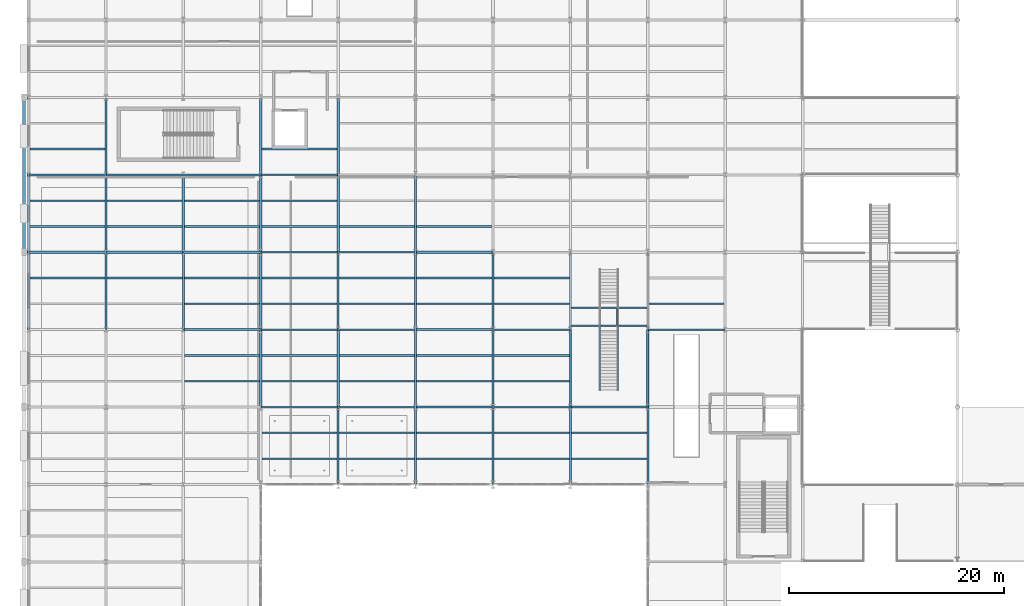
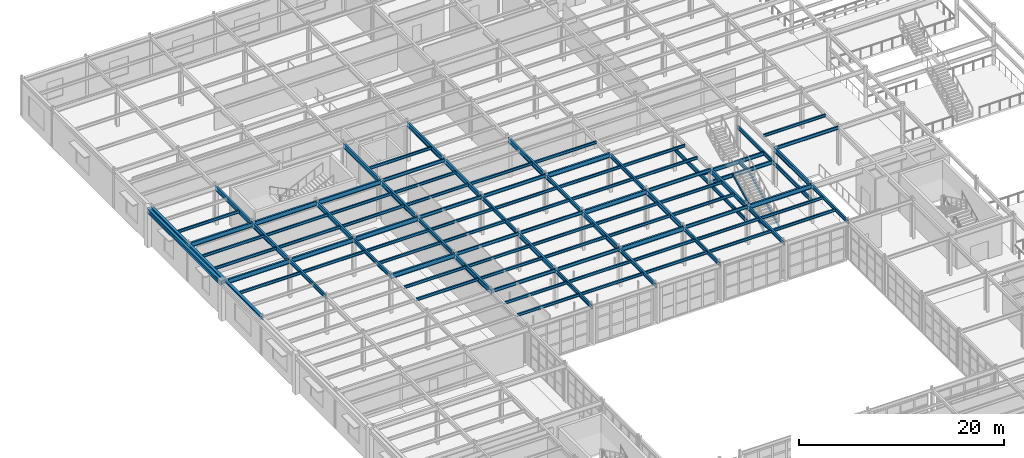
# One storey, part 51 of 121: 100 beams, 2 members.
"""IFC4 building model written with IfcOpenShell, lengths in metres."""

import ifcopenshell
import ifcopenshell.guid

model = None  # the IFC model being written
_history = None  # IfcOwnerHistory: only IFC2X3 demands one
_inside = {}  # id of a spatial element -> (the spatial element, [elements in it])
_under = {}  # id of a project, library or spatial element -> (it, [spatial elements below it])
_declared = {}  # id of a project -> (the project, [libraries it declares])
_typed = {}  # id of a type object -> (the type object, [elements of that type])
_made_of = {}  # id of a material, layer set ... -> (it, [elements and type objects made of it])


def new_model(schema):
    """Start an empty IFC model of exactly this schema.

    Asked for "IFC4X3", IfcOpenShell would pick the latest addendum, in which some entities
    have other attributes; the version numbers below select the first issue.
    IFC2X3 requires an IfcOwnerHistory on every rooted entity: one is made here for all.
    """
    global model, _history
    if schema == "IFC4X3":
        model = ifcopenshell.file(schema_version=(4, 3, 0, 0))
    else:
        model = ifcopenshell.file(schema=schema)
    _inside.clear()
    _under.clear()
    _declared.clear()
    _typed.clear()
    _made_of.clear()
    _history = None
    if model.schema == "IFC2X3":
        org = make("IfcOrganization", Name="unknown")
        user = make(
            "IfcPersonAndOrganization",
            ThePerson=make("IfcPerson", FamilyName="unknown"),
            TheOrganization=org,
        )
        app = make(
            "IfcApplication",
            ApplicationDeveloper=org,
            Version="unknown",
            ApplicationFullName="unknown",
            ApplicationIdentifier="unknown",
        )
        _history = make(
            "IfcOwnerHistory",
            OwningUser=user,
            OwningApplication=app,
            ChangeAction="ADDED",
            CreationDate=0,
        )
    return model


def make(cls, **values):
    """One entity of the class cls with the attributes given. An attribute that is None is left unset."""
    return model.create_entity(
        cls, **{name: value for name, value in values.items() if value is not None}
    )


def rooted(cls, **values):
    """An entity with a GlobalId (a new one), such as an element, a storey or a relation."""
    return make(cls, GlobalId=ifcopenshell.guid.new(), OwnerHistory=_history, **values)


def si_unit(unit_type, name, prefix=None):
    """IfcSIUnit, for example si_unit("LENGTHUNIT", "METRE", prefix="MILLI")."""
    return make("IfcSIUnit", UnitType=unit_type, Prefix=prefix, Name=name)


def assignment(units):
    """IfcUnitAssignment: the units of a project."""
    return None if units is None else make("IfcUnitAssignment", Units=units)


def point(xyz):
    """IfcCartesianPoint."""
    return None if xyz is None else make("IfcCartesianPoint", Coordinates=xyz)


def direction(xyz):
    """IfcDirection."""
    return None if xyz is None else make("IfcDirection", DirectionRatios=xyz)


def frame(location, z_axis=None, x_axis=None):
    """IfcAxis2Placement3D, a coordinate frame: its origin and axes. An axis left out is left unset."""
    return make(
        "IfcAxis2Placement3D",
        Location=point(location),
        Axis=direction(z_axis),
        RefDirection=direction(x_axis),
    )


def frame_2d(location, x_axis=None):
    """IfcAxis2Placement2D, a coordinate frame in the plane: its origin and x axis."""
    return make(
        "IfcAxis2Placement2D", Location=point(location), RefDirection=direction(x_axis)
    )


def origin():
    """The frame at (0, 0, 0) with its axes left unset."""
    return frame((0.0, 0.0, 0.0))


def origin_2d():
    """The frame at (0, 0) in the plane with its x axis left unset."""
    return frame_2d((0.0, 0.0))


def place(relative_to, where):
    """IfcLocalPlacement: puts the frame where relative to a parent placement (None: the world)."""
    return make(
        "IfcLocalPlacement", PlacementRelTo=relative_to, RelativePlacement=where
    )


def context(
    kind, dimensions, precision=None, world=None, true_north=None, identifier=None
):
    """IfcGeometricRepresentationContext, for example the 3D "Model" context."""
    return make(
        "IfcGeometricRepresentationContext",
        ContextIdentifier=identifier,
        ContextType=kind,
        CoordinateSpaceDimension=dimensions,
        Precision=precision,
        WorldCoordinateSystem=world,
        TrueNorth=true_north,
    )


def subcontext(parent, identifier, kind, view, scale=None):
    """IfcGeometricRepresentationSubContext, for example "Body" below "Model"."""
    return make(
        "IfcGeometricRepresentationSubContext",
        ContextIdentifier=identifier,
        ContextType=kind,
        ParentContext=parent,
        TargetScale=scale,
        TargetView=view,
    )


def project(units=None, contexts=None):
    """IfcProject with its units and contexts."""
    return rooted(
        "IfcProject",
        Name="project",
        RepresentationContexts=contexts,
        UnitsInContext=assignment(units),
    )


def spatial(cls, under=None, at=None, **own):
    """A site, building, storey or space (cls), placed at a placement, below another one or the project."""
    s = rooted(cls, ObjectPlacement=at, **own)
    if under is not None:
        _under.setdefault(under.id(), (under, []))[1].append(s)
    return s


def profile(cls, at=None, kind="AREA", **sizes):
    """A parametric profile (cls). Its sizes go by their IFC names, for example OverallWidth=200.0."""
    return make(cls, ProfileType=kind, Position=at, **sizes)


def hollow_rectangle(**sizes):
    """IfcRectangleHollowProfileDef."""
    return profile("IfcRectangleHollowProfileDef", **sizes)


def i_section(**sizes):
    """IfcIShapeProfileDef."""
    return profile("IfcIShapeProfileDef", **sizes)


def extrude(swept, where, along, depth):
    """IfcExtrudedAreaSolid: the profile swept, set in the frame where, extruded along a direction by depth."""
    return make(
        "IfcExtrudedAreaSolid",
        SweptArea=swept,
        Position=where,
        ExtrudedDirection=direction(along),
        Depth=depth,
    )


def shape(context_of_items, identifier, shape_type, items):
    """IfcShapeRepresentation: the items that make up one representation, for example the "Body"."""
    return make(
        "IfcShapeRepresentation",
        ContextOfItems=context_of_items,
        RepresentationIdentifier=identifier,
        RepresentationType=shape_type,
        Items=items,
    )


def material(Name=None, Category=None):
    """IfcMaterial."""
    return make("IfcMaterial", Name=Name, Category=Category)


def material_profile(
    of_material, cross_section, Name=None, Category=None, Priority=None
):
    """IfcMaterialProfile: a cross section and its material."""
    return make(
        "IfcMaterialProfile",
        Name=Name,
        Material=of_material,
        Profile=cross_section,
        Priority=Priority,
        Category=Category,
    )


def profile_set(profiles, Name=None, composite=None):
    """IfcMaterialProfileSet."""
    return make(
        "IfcMaterialProfileSet",
        Name=Name,
        MaterialProfiles=profiles,
        CompositeProfile=composite,
    )


def made_of(thing, what):
    """Note that an element or type object is made of a material, layer set ...; save() writes the relation."""
    if what is not None:
        _made_of.setdefault(what.id(), (what, []))[1].append(thing)
    return thing


def type_object(cls, material=None, **own):
    """A type object (cls), such as IfcWallType, which elements share."""
    return made_of(rooted(cls, **own), material)


def element(
    cls,
    number,
    at=None,
    inside=None,
    cuts=None,
    type_object=None,
    material=None,
    context=None,
    identifier="Body",
    shape_type=None,
    held_by="IfcProductDefinitionShape",
    body=None,
    shapes=None,
    **own,
):
    """One element of the class cls, such as IfcWall. Its Tag is "e" and its number.

    at: its placement. inside: the storey or other place that contains it. cuts: it is an
    opening in that element (IfcRelVoidsElement). A single representation is given by context,
    identifier, shape_type and body (its items); several are given by shapes. held_by: the class
    of the entity that holds the representations. save() writes the other relations.
    """
    e = rooted(cls, Tag="e%d" % number, ObjectPlacement=at, **own)
    if body is not None:
        shapes = [shape(context, identifier, shape_type, body)]
    if shapes is not None:
        e.Representation = make(held_by, Representations=shapes)
    if inside is not None:
        _inside.setdefault(inside.id(), (inside, []))[1].append(e)
    if cuts is not None:
        rooted(
            "IfcRelVoidsElement", RelatingBuildingElement=cuts, RelatedOpeningElement=e
        )
    if type_object is not None:
        _typed.setdefault(type_object.id(), (type_object, []))[1].append(e)
    return made_of(e, material)


def aggregate(whole, parts):
    """IfcRelAggregates: a whole, such as a stair, and the parts it consists of."""
    return rooted("IfcRelAggregates", RelatingObject=whole, RelatedObjects=parts)


def save(model, path):
    """Write the relations noted so far, then the file.

    IfcRelAggregates (storeys below a building ...), IfcRelContainedInSpatialStructure (elements
    in a storey), IfcRelDefinesByType, IfcRelAssociatesMaterial and IfcRelDeclares: one each for
    every whole, place, type object, material and project.
    """
    for whole, parts in _under.values():
        aggregate(whole, parts)
    for where, things in _inside.values():
        rooted(
            "IfcRelContainedInSpatialStructure",
            RelatedElements=things,
            RelatingStructure=where,
        )
    for kind, things in _typed.values():
        rooted("IfcRelDefinesByType", RelatedObjects=things, RelatingType=kind)
    for what, things in _made_of.values():
        rooted("IfcRelAssociatesMaterial", RelatedObjects=things, RelatingMaterial=what)
    for by, libraries in _declared.values():
        rooted("IfcRelDeclares", RelatingContext=by, RelatedDefinitions=libraries)
    model.write(path)


model = new_model("IFC4")

# Units and contexts
model_context = context("Model", 3, precision=1e-05, world=origin(), true_north=direction((0.0, 1.0)))
body_context = subcontext(model_context, "Body", "Model", "MODEL_VIEW")
ifc_project = project(units=[si_unit("LENGTHUNIT", "METRE"), si_unit("AREAUNIT", "SQUARE_METRE"), si_unit("VOLUMEUNIT", "CUBIC_METRE"), si_unit("PLANEANGLEUNIT", "RADIAN"), si_unit("MASSUNIT", "GRAM", prefix="KILO")], contexts=[model_context])

# Site, building, storey
site_placement = place(None, origin())
site = spatial("IfcSite", under=ifc_project, at=site_placement, CompositionType="ELEMENT")
building_placement = place(site_placement, origin())
building = spatial("IfcBuilding", under=site, at=building_placement, Name="Solvadek Multi-Sports Hall", CompositionType="ELEMENT")
storey_placement = place(building_placement, frame((0.0, 0.0, 4.800048828125)))
storey = spatial("IfcBuildingStorey", under=building, at=storey_placement, Name="L01", CompositionType="ELEMENT", Elevation=4.800048828125)

# Members
ifc_material_1 = material(Name="Steel E250 (250 MPa)", Category="steel")
ifc_material_profile_1 = material_profile(ifc_material_1, hollow_rectangle(XDim=0.14990234375, YDim=0.300048828125, WallThickness=0.010009765625, at=origin_2d()), Name="RHS 300x150x10")
ifc_profile_set_1 = profile_set([ifc_material_profile_1], Name="Steel E250 (250 MPa)")
member_type = type_object("IfcMemberType", Name="INT-SGR-RHS300", PredefinedType="STRINGER", material=ifc_profile_set_1)
for number, where, z_axis, x_axis, name in (
    (1, (54.840087890625, 58.0, -0.449951171875), (0.0, 0.891415184575, 0.453187564601), (-1.0, 0.0, 0.0), "Stair ST-13 Steel Stringer #13"),
    (2, (53.159912109375, 58.0, -0.449951171875), (0.0, 0.891415184575, 0.453187564601), (-1.0, 0.0, 0.0), "Stair ST-13 Steel Stringer #14"),
):
    element("IfcMember", number, at=place(storey_placement, frame(where, z_axis=z_axis, x_axis=x_axis)), inside=storey, type_object=member_type, Name=name, PredefinedType="STRINGER", context=body_context, shape_type="SweptSolid", body=[
        extrude(hollow_rectangle(XDim=0.14990234375, YDim=0.300048828125, WallThickness=0.010009765625, at=origin_2d()), origin(), (0.0, 0.0, 1.0), 6.6748046875),
    ])

# Beams
ifc_material_2 = material(Name="Steel E350 (350 MPa)", Category="steel")
ifc_material_profile_2 = material_profile(ifc_material_2, i_section(OverallWidth=0.139892578125, OverallDepth=0.39990234375, WebThickness=0.0087890625, FlangeThickness=0.01611328125, at=origin_2d()), Name="ISMB 400")
ifc_profile_set_2 = profile_set([ifc_material_profile_2], Name="Steel E350 (350 MPa)")
beam_type_1 = type_object("IfcBeamType", Name="STR-BM-ISMB400", PredefinedType="BEAM", material=ifc_profile_set_2)
for number, where, z_axis, x_axis, name in (
    (3, (21.60009765625, 56.39990234375, 4.35986328125), (1.0, 0.0, 0.0), (0.0, 1.0, 0.0), "L01 Girder B-10 #1027"),
    (4, (28.800048828125, 56.39990234375, 4.35986328125), (1.0, 0.0, 0.0), (0.0, 1.0, 0.0), "L01 Girder B-10 #1028"),
    (5, (43.199951171875, 56.39990234375, 4.35986328125), (1.0, 0.0, 0.0), (0.0, 1.0, 0.0), "L01 Girder B-10 #1030"),
    (6, (21.60009765625, 63.60009765625, 4.35986328125), (1.0, 0.0, 0.0), (0.0, 1.0, 0.0), "L01 Girder B-10 #1036"),
    (7, (28.800048828125, 63.60009765625, 4.35986328125), (1.0, 0.0, 0.0), (0.0, 1.0, 0.0), "L01 Girder B-10 #1037"),
    (8, (43.199951171875, 63.60009765625, 4.35986328125), (1.0, 0.0, 0.0), (0.0, 1.0, 0.0), "L01 Girder B-10 #1039"),
    (9, (57.60009765625, 63.60009765625, 4.35986328125), (1.0, 0.0, 0.0), (0.0, 1.0, 0.0), "L01 Girder B-10 #1040"),
    (10, (21.60009765625, 70.800048828125, 4.35986328125), (1.0, 0.0, 0.0), (0.0, 1.0, 0.0), "L01 Girder B-10 #1049"),
    (11, (28.800048828125, 70.800048828125, 4.35986328125), (1.0, 0.0, 0.0), (0.0, 1.0, 0.0), "L01 Girder B-10 #1050"),
    (12, (21.60009765625, 78.0, 4.35986328125), (1.0, 0.0, 0.0), (0.0, 1.0, 0.0), "L01 Girder B-10 #1063"),
):
    element("IfcBeam", number, at=place(storey_placement, frame(where, z_axis=z_axis, x_axis=x_axis)), inside=storey, type_object=beam_type_1, Name=name, PredefinedType="BEAM", context=body_context, shape_type="SweptSolid", body=[
        extrude(i_section(OverallWidth=0.139892578125, OverallDepth=0.39990234375, WebThickness=0.0087890625, FlangeThickness=0.01611328125, at=origin_2d()), origin(), (0.0, 0.0, 1.0), 7.199951171875),
    ])
ifc_material_profile_3 = material_profile(ifc_material_2, i_section(OverallWidth=0.18994140625, OverallDepth=0.550048828125, WebThickness=0.01123046875, FlangeThickness=0.019287109375, at=origin_2d()), Name="ISMB 550")
ifc_profile_set_3 = profile_set([ifc_material_profile_3], Name="Steel E350 (350 MPa)")
beam_type_2 = type_object("IfcBeamType", Name="STR-BM-ISMB550", PredefinedType="BEAM", material=ifc_profile_set_3)
beam_1_placement = place(storey_placement, frame((36.0, 56.39990234375, 4.284912109375), z_axis=(1.0, 0.0, 0.0), x_axis=(0.0, 1.0, 0.0)))
element("IfcBeam", 13, at=beam_1_placement, inside=storey, type_object=beam_type_2, Name="L01 Girder B-06 #1029", PredefinedType="BEAM", context=body_context, shape_type="SweptSolid", body=[
    extrude(i_section(OverallWidth=0.18994140625, OverallDepth=0.550048828125, WebThickness=0.01123046875, FlangeThickness=0.019287109375, at=origin_2d()), origin(), (0.0, 0.0, 1.0), 7.199951171875),
])
for number, where, z_axis, x_axis, name in (
    (14, (50.39990234375, 56.39990234375, 4.284912109375), (1.0, 0.0, 0.0), (0.0, 1.0, 0.0), "L01 Girder B-06 #1031"),
    (15, (14.39990234375, 63.60009765625, 4.284912109375), (1.0, 0.0, 0.0), (0.0, 1.0, 0.0), "L01 Girder B-06 #1035"),
):
    element("IfcBeam", number, at=place(storey_placement, frame(where, z_axis=z_axis, x_axis=x_axis)), inside=storey, type_object=beam_type_2, Name=name, PredefinedType="BEAM", context=body_context, shape_type="SweptSolid", body=[
        extrude(i_section(OverallWidth=0.18994140625, OverallDepth=0.550048828125, WebThickness=0.01123046875, FlangeThickness=0.019287109375, at=origin_2d()), origin(), (0.0, 0.0, 1.0), 7.2001953125),
    ])
for number, where, z_axis, x_axis, name in (
    (16, (36.0, 63.60009765625, 4.284912109375), (1.0, 0.0, 0.0), (0.0, 1.0, 0.0), "L01 Girder B-06 #1038"),
    (17, (0.0, 70.800048828125, 4.284912109375), (1.0, 0.0, 0.0), (0.0, 1.0, 0.0), "L01 Girder B-06 #1046"),
    (18, (7.199951171875, 70.800048828125, 4.284912109375), (1.0, 0.0, 0.0), (0.0, 1.0, 0.0), "L01 Girder B-06 #1047"),
):
    element("IfcBeam", number, at=place(storey_placement, frame(where, z_axis=z_axis, x_axis=x_axis)), inside=storey, type_object=beam_type_2, Name=name, PredefinedType="BEAM", context=body_context, shape_type="SweptSolid", body=[
        extrude(i_section(OverallWidth=0.18994140625, OverallDepth=0.550048828125, WebThickness=0.01123046875, FlangeThickness=0.019287109375, at=origin_2d()), origin(), (0.0, 0.0, 1.0), 7.199951171875),
    ])
beam_2_placement = place(storey_placement, frame((14.39990234375, 70.800048828125, 4.284912109375), z_axis=(1.0, 0.0, 0.0), x_axis=(0.0, 1.0, 0.0)))
element("IfcBeam", 19, at=beam_2_placement, inside=storey, type_object=beam_type_2, Name="L01 Girder B-06 #1048", PredefinedType="BEAM", context=body_context, shape_type="SweptSolid", body=[
    extrude(i_section(OverallWidth=0.18994140625, OverallDepth=0.550048828125, WebThickness=0.01123046875, FlangeThickness=0.019287109375, at=origin_2d()), origin(), (0.0, 0.0, 1.0), 7.2001953125),
])
for number, where, z_axis, x_axis, name in (
    (20, (36.0, 70.800048828125, 4.284912109375), (1.0, 0.0, 0.0), (0.0, 1.0, 0.0), "L01 Girder B-06 #1051"),
    (21, (0.0, 78.0, 4.284912109375), (1.0, 0.0, 0.0), (0.0, 1.0, 0.0), "L01 Girder B-06 #1060"),
    (22, (7.199951171875, 78.0, 4.284912109375), (1.0, 0.0, 0.0), (0.0, 1.0, 0.0), "L01 Girder B-06 #1061"),
):
    element("IfcBeam", number, at=place(storey_placement, frame(where, z_axis=z_axis, x_axis=x_axis)), inside=storey, type_object=beam_type_2, Name=name, PredefinedType="BEAM", context=body_context, shape_type="SweptSolid", body=[
        extrude(i_section(OverallWidth=0.18994140625, OverallDepth=0.550048828125, WebThickness=0.01123046875, FlangeThickness=0.019287109375, at=origin_2d()), origin(), (0.0, 0.0, 1.0), 7.199951171875),
    ])
beam_3_placement = place(storey_placement, frame((14.39990234375, 78.0, 4.284912109375), z_axis=(1.0, 0.0, 0.0), x_axis=(0.0, 1.0, 0.0)))
element("IfcBeam", 23, at=beam_3_placement, inside=storey, type_object=beam_type_2, Name="L01 Girder B-06 #1062", PredefinedType="BEAM", context=body_context, shape_type="SweptSolid", body=[
    extrude(i_section(OverallWidth=0.18994140625, OverallDepth=0.550048828125, WebThickness=0.01123046875, FlangeThickness=0.019287109375, at=origin_2d()), origin(), (0.0, 0.0, 1.0), 7.2001953125),
])
ifc_material_profile_4 = material_profile(ifc_material_2, i_section(OverallWidth=0.14990234375, OverallDepth=0.449951171875, WebThickness=0.009521484375, FlangeThickness=0.017333984375, at=origin_2d()), Name="ISMB 450")
ifc_profile_set_4 = profile_set([ifc_material_profile_4], Name="Steel E350 (350 MPa)")
beam_type_3 = type_object("IfcBeamType", Name="STR-BM-LND450", PredefinedType="BEAM", material=ifc_profile_set_4)
for number, where, z_axis, x_axis, name in (
    (24, (50.39990234375, 56.39990234375, 2.574951171875), (0.0, 1.0, 0.0), (-1.0, 0.0, 0.0), "Stair ST-13 Landing Edge Girder #1"),
    (25, (57.60009765625, 56.39990234375, 2.574951171875), (0.0, 1.0, 0.0), (-1.0, 0.0, 0.0), "Stair ST-13 Landing Edge Girder #2"),
):
    element("IfcBeam", number, at=place(storey_placement, frame(where, z_axis=z_axis, x_axis=x_axis)), inside=storey, type_object=beam_type_3, Name=name, PredefinedType="BEAM", context=body_context, shape_type="SweptSolid", body=[
        extrude(i_section(OverallWidth=0.14990234375, OverallDepth=0.449951171875, WebThickness=0.009521484375, FlangeThickness=0.017333984375, at=origin_2d()), origin(), (0.0, 0.0, 1.0), 14.400146484375),
    ])
for number, where, z_axis, x_axis, name in (
    (26, (50.47509765625, 63.949951171875, 2.574951171875), (1.0, 0.0, 0.0), (0.0, 1.0, 0.0), "Stair ST-13 Landing Trimmer Girder #1"),
    (27, (50.47509765625, 65.64990234375, 2.574951171875), (1.0, 0.0, 0.0), (0.0, 1.0, 0.0), "Stair ST-13 Landing Trimmer Girder #2"),
):
    element("IfcBeam", number, at=place(storey_placement, frame(where, z_axis=z_axis, x_axis=x_axis)), inside=storey, type_object=beam_type_3, Name=name, PredefinedType="BEAM", context=body_context, shape_type="SweptSolid", body=[
        extrude(i_section(OverallWidth=0.14990234375, OverallDepth=0.449951171875, WebThickness=0.009521484375, FlangeThickness=0.017333984375, at=origin_2d()), origin(), (0.0, 0.0, 1.0), 7.0498046875),
    ])
beam_4_placement = place(storey_placement, frame((54.756103515625, 64.02490234375, 2.574951171875), z_axis=(0.0, 1.0, 0.0), x_axis=(-1.0, 0.0, 0.0)))
element("IfcBeam", 28, at=beam_4_placement, inside=storey, type_object=beam_type_3, Name="Stair ST-13 Landing Diaphragm Rib", PredefinedType="BEAM", context=body_context, shape_type="SweptSolid", body=[
    extrude(i_section(OverallWidth=0.14990234375, OverallDepth=0.449951171875, WebThickness=0.009521484375, FlangeThickness=0.017333984375, at=origin_2d()), origin(), (0.0, 0.0, 1.0), 1.550048828125),
])
ifc_material_profile_5 = material_profile(ifc_material_2, i_section(OverallWidth=0.18994140625, OverallDepth=0.449951171875, WebThickness=0.009521484375, FlangeThickness=0.0146484375, at=origin_2d()), Name="NPB 450")
ifc_profile_set_5 = profile_set([ifc_material_profile_5], Name="Steel E350 (350 MPa)")
beam_type_4 = type_object("IfcBeamType", Name="STR-BM-NPB450", PredefinedType="BEAM", material=ifc_profile_set_5)
for number, where, z_axis, x_axis, name in (
    (29, (7.199951171875, 63.60009765625, 4.3349609375), (0.0, 1.0, 0.0), (-1.0, 0.0, 0.0), "L01 Girder B-08 #1134"),
    (30, (14.39990234375, 63.60009765625, 4.3349609375), (0.0, 1.0, 0.0), (-1.0, 0.0, 0.0), "L01 Girder B-08 #1146"),
    (31, (21.60009765625, 63.60009765625, 4.3349609375), (0.0, 1.0, 0.0), (-1.0, 0.0, 0.0), "L01 Girder B-08 #1157"),
    (32, (28.800048828125, 49.199951171875, 4.3349609375), (0.0, 1.0, 0.0), (-1.0, 0.0, 0.0), "L01 Girder B-08 #1163"),
    (33, (28.800048828125, 63.60009765625, 4.3349609375), (0.0, 1.0, 0.0), (-1.0, 0.0, 0.0), "L01 Girder B-08 #1165"),
    (34, (36.0, 49.199951171875, 4.3349609375), (0.0, 1.0, 0.0), (-1.0, 0.0, 0.0), "L01 Girder B-08 #1173"),
    (35, (36.0, 63.60009765625, 4.3349609375), (0.0, 1.0, 0.0), (-1.0, 0.0, 0.0), "L01 Girder B-08 #1175"),
    (36, (43.199951171875, 49.199951171875, 4.3349609375), (0.0, 1.0, 0.0), (-1.0, 0.0, 0.0), "L01 Girder B-08 #1185"),
    (37, (43.199951171875, 63.60009765625, 4.3349609375), (0.0, 1.0, 0.0), (-1.0, 0.0, 0.0), "L01 Girder B-08 #1187"),
    (38, (50.39990234375, 49.199951171875, 4.3349609375), (0.0, 1.0, 0.0), (-1.0, 0.0, 0.0), "L01 Girder B-08 #1197"),
    (39, (57.60009765625, 49.199951171875, 4.3349609375), (0.0, 1.0, 0.0), (-1.0, 0.0, 0.0), "L01 Girder B-08 #1216"),
):
    element("IfcBeam", number, at=place(storey_placement, frame(where, z_axis=z_axis, x_axis=x_axis)), inside=storey, type_object=beam_type_4, Name=name, PredefinedType="BEAM", context=body_context, shape_type="SweptSolid", body=[
        extrude(i_section(OverallWidth=0.18994140625, OverallDepth=0.449951171875, WebThickness=0.009521484375, FlangeThickness=0.0146484375, at=origin_2d()), origin(), (0.0, 0.0, 1.0), 7.199951171875),
    ])
ifc_material_profile_6 = material_profile(ifc_material_2, i_section(OverallWidth=0.2099609375, OverallDepth=0.550048828125, WebThickness=0.010986328125, FlangeThickness=0.01708984375, at=origin_2d()), Name="NPB 550")
ifc_profile_set_6 = profile_set([ifc_material_profile_6], Name="Steel E350 (350 MPa)")
beam_type_5 = type_object("IfcBeamType", Name="STR-BM-NPB550", PredefinedType="BEAM", material=ifc_profile_set_6)
for number, where, z_axis, x_axis, name in (
    (40, (7.199951171875, 70.800048828125, 4.284912109375), (0.0, 1.0, 0.0), (-1.0, 0.0, 0.0), "L01 Girder B-05 #1135"),
    (41, (7.199951171875, 78.0, 4.284912109375), (0.0, 1.0, 0.0), (-1.0, 0.0, 0.0), "L01 Girder B-05 #1136"),
    (42, (14.39990234375, 70.800048828125, 4.284912109375), (0.0, 1.0, 0.0), (-1.0, 0.0, 0.0), "L01 Girder B-05 #1147"),
):
    element("IfcBeam", number, at=place(storey_placement, frame(where, z_axis=z_axis, x_axis=x_axis)), inside=storey, type_object=beam_type_5, Name=name, PredefinedType="BEAM", context=body_context, shape_type="SweptSolid", body=[
        extrude(i_section(OverallWidth=0.2099609375, OverallDepth=0.550048828125, WebThickness=0.010986328125, FlangeThickness=0.01708984375, at=origin_2d()), origin(), (0.0, 0.0, 1.0), 7.199951171875),
    ])
beam_5_placement = place(storey_placement, frame((21.60009765625, 56.39990234375, 4.284912109375), z_axis=(0.0, 1.0, 0.0), x_axis=(-1.0, 0.0, 0.0)))
element("IfcBeam", 43, at=beam_5_placement, inside=storey, type_object=beam_type_5, Name="L01 Girder B-05 #1156", PredefinedType="BEAM", context=body_context, shape_type="SweptSolid", body=[
    extrude(i_section(OverallWidth=0.2099609375, OverallDepth=0.550048828125, WebThickness=0.010986328125, FlangeThickness=0.01708984375, at=origin_2d()), origin(), (0.0, 0.0, 1.0), 7.2001953125),
])
for number, where, z_axis, x_axis, name in (
    (44, (21.60009765625, 70.800048828125, 4.284912109375), (0.0, 1.0, 0.0), (-1.0, 0.0, 0.0), "L01 Girder B-05 #1158"),
    (45, (21.60009765625, 78.0, 4.284912109375), (0.0, 1.0, 0.0), (-1.0, 0.0, 0.0), "L01 Girder B-05 #1159"),
):
    element("IfcBeam", number, at=place(storey_placement, frame(where, z_axis=z_axis, x_axis=x_axis)), inside=storey, type_object=beam_type_5, Name=name, PredefinedType="BEAM", context=body_context, shape_type="SweptSolid", body=[
        extrude(i_section(OverallWidth=0.2099609375, OverallDepth=0.550048828125, WebThickness=0.010986328125, FlangeThickness=0.01708984375, at=origin_2d()), origin(), (0.0, 0.0, 1.0), 7.199951171875),
    ])
beam_6_placement = place(storey_placement, frame((28.800048828125, 56.39990234375, 4.284912109375), z_axis=(0.0, 1.0, 0.0), x_axis=(-1.0, 0.0, 0.0)))
element("IfcBeam", 46, at=beam_6_placement, inside=storey, type_object=beam_type_5, Name="L01 Girder B-05 #1164", PredefinedType="BEAM", context=body_context, shape_type="SweptSolid", body=[
    extrude(i_section(OverallWidth=0.2099609375, OverallDepth=0.550048828125, WebThickness=0.010986328125, FlangeThickness=0.01708984375, at=origin_2d()), origin(), (0.0, 0.0, 1.0), 7.2001953125),
])
for number, where, z_axis, x_axis, name in (
    (47, (28.800048828125, 70.800048828125, 4.284912109375), (0.0, 1.0, 0.0), (-1.0, 0.0, 0.0), "L01 Girder B-05 #1166"),
    (48, (28.800048828125, 78.0, 4.284912109375), (0.0, 1.0, 0.0), (-1.0, 0.0, 0.0), "L01 Girder B-05 #1167"),
):
    element("IfcBeam", number, at=place(storey_placement, frame(where, z_axis=z_axis, x_axis=x_axis)), inside=storey, type_object=beam_type_5, Name=name, PredefinedType="BEAM", context=body_context, shape_type="SweptSolid", body=[
        extrude(i_section(OverallWidth=0.2099609375, OverallDepth=0.550048828125, WebThickness=0.010986328125, FlangeThickness=0.01708984375, at=origin_2d()), origin(), (0.0, 0.0, 1.0), 7.199951171875),
    ])
beam_7_placement = place(storey_placement, frame((36.0, 56.39990234375, 4.284912109375), z_axis=(0.0, 1.0, 0.0), x_axis=(-1.0, 0.0, 0.0)))
element("IfcBeam", 49, at=beam_7_placement, inside=storey, type_object=beam_type_5, Name="L01 Girder B-05 #1174", PredefinedType="BEAM", context=body_context, shape_type="SweptSolid", body=[
    extrude(i_section(OverallWidth=0.2099609375, OverallDepth=0.550048828125, WebThickness=0.010986328125, FlangeThickness=0.01708984375, at=origin_2d()), origin(), (0.0, 0.0, 1.0), 7.2001953125),
])
beam_8_placement = place(storey_placement, frame((36.0, 70.800048828125, 4.284912109375), z_axis=(0.0, 1.0, 0.0), x_axis=(-1.0, 0.0, 0.0)))
element("IfcBeam", 50, at=beam_8_placement, inside=storey, type_object=beam_type_5, Name="L01 Girder B-05 #1176", PredefinedType="BEAM", context=body_context, shape_type="SweptSolid", body=[
    extrude(i_section(OverallWidth=0.2099609375, OverallDepth=0.550048828125, WebThickness=0.010986328125, FlangeThickness=0.01708984375, at=origin_2d()), origin(), (0.0, 0.0, 1.0), 7.199951171875),
])
for number, where, z_axis, x_axis, name in (
    (51, (43.199951171875, 56.39990234375, 4.284912109375), (0.0, 1.0, 0.0), (-1.0, 0.0, 0.0), "L01 Girder B-05 #1186"),
    (52, (50.39990234375, 56.39990234375, 4.284912109375), (0.0, 1.0, 0.0), (-1.0, 0.0, 0.0), "L01 Girder B-05 #1198"),
    (53, (57.60009765625, 56.39990234375, 4.284912109375), (0.0, 1.0, 0.0), (-1.0, 0.0, 0.0), "L01 Girder B-05 #1217"),
):
    element("IfcBeam", number, at=place(storey_placement, frame(where, z_axis=z_axis, x_axis=x_axis)), inside=storey, type_object=beam_type_5, Name=name, PredefinedType="BEAM", context=body_context, shape_type="SweptSolid", body=[
        extrude(i_section(OverallWidth=0.2099609375, OverallDepth=0.550048828125, WebThickness=0.010986328125, FlangeThickness=0.01708984375, at=origin_2d()), origin(), (0.0, 0.0, 1.0), 7.2001953125),
    ])
ifc_material_profile_7 = material_profile(ifc_material_2, i_section(OverallWidth=0.159912109375, OverallDepth=0.330078125, WebThickness=0.007568359375, FlangeThickness=0.011474609375, at=origin_2d()), Name="NPB 330")
ifc_profile_set_7 = profile_set([ifc_material_profile_7], Name="Steel E350 (350 MPa)")
beam_type_6 = type_object("IfcBeamType", Name="STR-JST-NPB330", PredefinedType="JOIST", material=ifc_profile_set_7)
for number, where, z_axis, x_axis, name in (
    (54, (21.695068359375, 51.60009765625, 4.39501953125), (1.0, 0.0, 0.0), (0.0, 1.0, 0.0), "L01 Composite Joist J-02 #638"),
    (55, (21.695068359375, 54.0, 4.39501953125), (1.0, 0.0, 0.0), (0.0, 1.0, 0.0), "L01 Composite Joist J-02 #639"),
    (56, (28.89501953125, 51.60009765625, 4.39501953125), (1.0, 0.0, 0.0), (0.0, 1.0, 0.0), "L01 Composite Joist J-02 #640"),
    (57, (28.89501953125, 54.0, 4.39501953125), (1.0, 0.0, 0.0), (0.0, 1.0, 0.0), "L01 Composite Joist J-02 #641"),
    (58, (36.094970703125, 51.60009765625, 4.39501953125), (1.0, 0.0, 0.0), (0.0, 1.0, 0.0), "L01 Composite Joist J-02 #642"),
    (59, (36.094970703125, 54.0, 4.39501953125), (1.0, 0.0, 0.0), (0.0, 1.0, 0.0), "L01 Composite Joist J-02 #643"),
    (60, (43.294921875, 51.60009765625, 4.39501953125), (1.0, 0.0, 0.0), (0.0, 1.0, 0.0), "L01 Composite Joist J-02 #644"),
    (61, (43.294921875, 54.0, 4.39501953125), (1.0, 0.0, 0.0), (0.0, 1.0, 0.0), "L01 Composite Joist J-02 #645"),
):
    element("IfcBeam", number, at=place(storey_placement, frame(where, z_axis=z_axis, x_axis=x_axis)), inside=storey, type_object=beam_type_6, Name=name, PredefinedType="JOIST", context=body_context, shape_type="SweptSolid", body=[
        extrude(i_section(OverallWidth=0.159912109375, OverallDepth=0.330078125, WebThickness=0.007568359375, FlangeThickness=0.011474609375, at=origin_2d()), origin(), (0.0, 0.0, 1.0), 7.010009765625),
    ])
for number, where, z_axis, x_axis, name in (
    (62, (50.4951171875, 51.60009765625, 4.39501953125), (1.0, 0.0, 0.0), (0.0, 1.0, 0.0), "L01 Composite Joist J-02 #646"),
    (63, (50.4951171875, 54.0, 4.39501953125), (1.0, 0.0, 0.0), (0.0, 1.0, 0.0), "L01 Composite Joist J-02 #647"),
):
    element("IfcBeam", number, at=place(storey_placement, frame(where, z_axis=z_axis, x_axis=x_axis)), inside=storey, type_object=beam_type_6, Name=name, PredefinedType="JOIST", context=body_context, shape_type="SweptSolid", body=[
        extrude(i_section(OverallWidth=0.159912109375, OverallDepth=0.330078125, WebThickness=0.007568359375, FlangeThickness=0.011474609375, at=origin_2d()), origin(), (0.0, 0.0, 1.0), 7.009765625),
    ])
for number, where, z_axis, x_axis, name in (
    (64, (14.5048828125, 58.800048828125, 4.39501953125), (1.0, 0.0, 0.0), (0.0, 1.0, 0.0), "L01 Composite Joist J-02 #652"),
    (65, (14.5048828125, 61.199951171875, 4.39501953125), (1.0, 0.0, 0.0), (0.0, 1.0, 0.0), "L01 Composite Joist J-02 #653"),
):
    element("IfcBeam", number, at=place(storey_placement, frame(where, z_axis=z_axis, x_axis=x_axis)), inside=storey, type_object=beam_type_6, Name=name, PredefinedType="JOIST", context=body_context, shape_type="SweptSolid", body=[
        extrude(i_section(OverallWidth=0.159912109375, OverallDepth=0.330078125, WebThickness=0.007568359375, FlangeThickness=0.011474609375, at=origin_2d()), origin(), (0.0, 0.0, 1.0), 6.990234375),
    ])
for number, where, z_axis, x_axis, name in (
    (66, (21.705078125, 58.800048828125, 4.39501953125), (1.0, 0.0, 0.0), (0.0, 1.0, 0.0), "L01 Composite Joist J-02 #654"),
    (67, (21.705078125, 61.199951171875, 4.39501953125), (1.0, 0.0, 0.0), (0.0, 1.0, 0.0), "L01 Composite Joist J-02 #655"),
    (68, (28.905029296875, 58.800048828125, 4.39501953125), (1.0, 0.0, 0.0), (0.0, 1.0, 0.0), "L01 Composite Joist J-02 #656"),
    (69, (28.905029296875, 61.199951171875, 4.39501953125), (1.0, 0.0, 0.0), (0.0, 1.0, 0.0), "L01 Composite Joist J-02 #657"),
    (70, (36.10498046875, 58.800048828125, 4.39501953125), (1.0, 0.0, 0.0), (0.0, 1.0, 0.0), "L01 Composite Joist J-02 #658"),
    (71, (36.10498046875, 61.199951171875, 4.39501953125), (1.0, 0.0, 0.0), (0.0, 1.0, 0.0), "L01 Composite Joist J-02 #659"),
    (72, (43.304931640625, 58.800048828125, 4.39501953125), (1.0, 0.0, 0.0), (0.0, 1.0, 0.0), "L01 Composite Joist J-02 #660"),
    (73, (43.304931640625, 61.199951171875, 4.39501953125), (1.0, 0.0, 0.0), (0.0, 1.0, 0.0), "L01 Composite Joist J-02 #661"),
):
    element("IfcBeam", number, at=place(storey_placement, frame(where, z_axis=z_axis, x_axis=x_axis)), inside=storey, type_object=beam_type_6, Name=name, PredefinedType="JOIST", context=body_context, shape_type="SweptSolid", body=[
        extrude(i_section(OverallWidth=0.159912109375, OverallDepth=0.330078125, WebThickness=0.007568359375, FlangeThickness=0.011474609375, at=origin_2d()), origin(), (0.0, 0.0, 1.0), 6.989990234375),
    ])
beam_9_placement = place(storey_placement, frame((0.14990234375, 68.39990234375, 4.39501953125), z_axis=(1.0, 0.0, 0.0), x_axis=(0.0, 1.0, 0.0)))
element("IfcBeam", 74, at=beam_9_placement, inside=storey, type_object=beam_type_6, Name="L01 Composite Joist J-02 #663", PredefinedType="JOIST", context=body_context, shape_type="SweptSolid", body=[
    extrude(i_section(OverallWidth=0.159912109375, OverallDepth=0.330078125, WebThickness=0.007568359375, FlangeThickness=0.011474609375, at=origin_2d()), origin(), (0.0, 0.0, 1.0), 6.955078125),
])
beam_10_placement = place(storey_placement, frame((7.294921875, 68.39990234375, 4.39501953125), z_axis=(1.0, 0.0, 0.0), x_axis=(0.0, 1.0, 0.0)))
element("IfcBeam", 75, at=beam_10_placement, inside=storey, type_object=beam_type_6, Name="L01 Composite Joist J-02 #665", PredefinedType="JOIST", context=body_context, shape_type="SweptSolid", body=[
    extrude(i_section(OverallWidth=0.159912109375, OverallDepth=0.330078125, WebThickness=0.007568359375, FlangeThickness=0.011474609375, at=origin_2d()), origin(), (0.0, 0.0, 1.0), 7.010009765625),
])
for number, where, z_axis, x_axis, name in (
    (76, (14.4951171875, 66.0, 4.39501953125), (1.0, 0.0, 0.0), (0.0, 1.0, 0.0), "L01 Composite Joist J-02 #666"),
    (77, (14.4951171875, 68.39990234375, 4.39501953125), (1.0, 0.0, 0.0), (0.0, 1.0, 0.0), "L01 Composite Joist J-02 #667"),
):
    element("IfcBeam", number, at=place(storey_placement, frame(where, z_axis=z_axis, x_axis=x_axis)), inside=storey, type_object=beam_type_6, Name=name, PredefinedType="JOIST", context=body_context, shape_type="SweptSolid", body=[
        extrude(i_section(OverallWidth=0.159912109375, OverallDepth=0.330078125, WebThickness=0.007568359375, FlangeThickness=0.011474609375, at=origin_2d()), origin(), (0.0, 0.0, 1.0), 7.009765625),
    ])
for number, where, z_axis, x_axis, name in (
    (78, (21.695068359375, 66.0, 4.39501953125), (1.0, 0.0, 0.0), (0.0, 1.0, 0.0), "L01 Composite Joist J-02 #668"),
    (79, (21.695068359375, 68.39990234375, 4.39501953125), (1.0, 0.0, 0.0), (0.0, 1.0, 0.0), "L01 Composite Joist J-02 #669"),
    (80, (28.89501953125, 66.0, 4.39501953125), (1.0, 0.0, 0.0), (0.0, 1.0, 0.0), "L01 Composite Joist J-02 #670"),
    (81, (28.89501953125, 68.39990234375, 4.39501953125), (1.0, 0.0, 0.0), (0.0, 1.0, 0.0), "L01 Composite Joist J-02 #671"),
    (82, (36.094970703125, 66.0, 4.39501953125), (1.0, 0.0, 0.0), (0.0, 1.0, 0.0), "L01 Composite Joist J-02 #672"),
    (83, (36.094970703125, 68.39990234375, 4.39501953125), (1.0, 0.0, 0.0), (0.0, 1.0, 0.0), "L01 Composite Joist J-02 #673"),
    (84, (43.294921875, 66.0, 4.39501953125), (1.0, 0.0, 0.0), (0.0, 1.0, 0.0), "L01 Composite Joist J-02 #674"),
    (85, (43.294921875, 68.39990234375, 4.39501953125), (1.0, 0.0, 0.0), (0.0, 1.0, 0.0), "L01 Composite Joist J-02 #675"),
    (86, (57.695068359375, 66.0, 4.39501953125), (1.0, 0.0, 0.0), (0.0, 1.0, 0.0), "L01 Composite Joist J-02 #676"),
):
    element("IfcBeam", number, at=place(storey_placement, frame(where, z_axis=z_axis, x_axis=x_axis)), inside=storey, type_object=beam_type_6, Name=name, PredefinedType="JOIST", context=body_context, shape_type="SweptSolid", body=[
        extrude(i_section(OverallWidth=0.159912109375, OverallDepth=0.330078125, WebThickness=0.007568359375, FlangeThickness=0.011474609375, at=origin_2d()), origin(), (0.0, 0.0, 1.0), 7.010009765625),
    ])
for number, where, z_axis, x_axis, name in (
    (87, (0.14990234375, 73.199951171875, 4.39501953125), (1.0, 0.0, 0.0), (0.0, 1.0, 0.0), "L01 Composite Joist J-02 #682"),
    (88, (0.14990234375, 75.60009765625, 4.39501953125), (1.0, 0.0, 0.0), (0.0, 1.0, 0.0), "L01 Composite Joist J-02 #683"),
):
    element("IfcBeam", number, at=place(storey_placement, frame(where, z_axis=z_axis, x_axis=x_axis)), inside=storey, type_object=beam_type_6, Name=name, PredefinedType="JOIST", context=body_context, shape_type="SweptSolid", body=[
        extrude(i_section(OverallWidth=0.159912109375, OverallDepth=0.330078125, WebThickness=0.007568359375, FlangeThickness=0.011474609375, at=origin_2d()), origin(), (0.0, 0.0, 1.0), 6.945068359375),
    ])
for number, where, z_axis, x_axis, name in (
    (89, (7.304931640625, 73.199951171875, 4.39501953125), (1.0, 0.0, 0.0), (0.0, 1.0, 0.0), "L01 Composite Joist J-02 #684"),
    (90, (7.304931640625, 75.60009765625, 4.39501953125), (1.0, 0.0, 0.0), (0.0, 1.0, 0.0), "L01 Composite Joist J-02 #685"),
):
    element("IfcBeam", number, at=place(storey_placement, frame(where, z_axis=z_axis, x_axis=x_axis)), inside=storey, type_object=beam_type_6, Name=name, PredefinedType="JOIST", context=body_context, shape_type="SweptSolid", body=[
        extrude(i_section(OverallWidth=0.159912109375, OverallDepth=0.330078125, WebThickness=0.007568359375, FlangeThickness=0.011474609375, at=origin_2d()), origin(), (0.0, 0.0, 1.0), 6.989990234375),
    ])
for number, where, z_axis, x_axis, name in (
    (91, (14.5048828125, 73.199951171875, 4.39501953125), (1.0, 0.0, 0.0), (0.0, 1.0, 0.0), "L01 Composite Joist J-02 #686"),
    (92, (14.5048828125, 75.60009765625, 4.39501953125), (1.0, 0.0, 0.0), (0.0, 1.0, 0.0), "L01 Composite Joist J-02 #687"),
):
    element("IfcBeam", number, at=place(storey_placement, frame(where, z_axis=z_axis, x_axis=x_axis)), inside=storey, type_object=beam_type_6, Name=name, PredefinedType="JOIST", context=body_context, shape_type="SweptSolid", body=[
        extrude(i_section(OverallWidth=0.159912109375, OverallDepth=0.330078125, WebThickness=0.007568359375, FlangeThickness=0.011474609375, at=origin_2d()), origin(), (0.0, 0.0, 1.0), 6.990234375),
    ])
for number, where, z_axis, x_axis, name in (
    (93, (21.705078125, 73.199951171875, 4.39501953125), (1.0, 0.0, 0.0), (0.0, 1.0, 0.0), "L01 Composite Joist J-02 #688"),
    (94, (21.705078125, 75.60009765625, 4.39501953125), (1.0, 0.0, 0.0), (0.0, 1.0, 0.0), "L01 Composite Joist J-02 #689"),
    (95, (28.905029296875, 73.199951171875, 4.39501953125), (1.0, 0.0, 0.0), (0.0, 1.0, 0.0), "L01 Composite Joist J-02 #690"),
    (96, (36.10498046875, 73.199951171875, 4.39501953125), (1.0, 0.0, 0.0), (0.0, 1.0, 0.0), "L01 Composite Joist J-02 #692"),
):
    element("IfcBeam", number, at=place(storey_placement, frame(where, z_axis=z_axis, x_axis=x_axis)), inside=storey, type_object=beam_type_6, Name=name, PredefinedType="JOIST", context=body_context, shape_type="SweptSolid", body=[
        extrude(i_section(OverallWidth=0.159912109375, OverallDepth=0.330078125, WebThickness=0.007568359375, FlangeThickness=0.011474609375, at=origin_2d()), origin(), (0.0, 0.0, 1.0), 6.989990234375),
    ])
beam_11_placement = place(storey_placement, frame((0.14990234375, 80.39990234375, 4.39501953125), z_axis=(1.0, 0.0, 0.0), x_axis=(0.0, 1.0, 0.0)))
element("IfcBeam", 97, at=beam_11_placement, inside=storey, type_object=beam_type_6, Name="L01 Composite Joist J-02 #700", PredefinedType="JOIST", context=body_context, shape_type="SweptSolid", body=[
    extrude(i_section(OverallWidth=0.159912109375, OverallDepth=0.330078125, WebThickness=0.007568359375, FlangeThickness=0.011474609375, at=origin_2d()), origin(), (0.0, 0.0, 1.0), 6.945068359375),
])
beam_12_placement = place(storey_placement, frame((21.705078125, 80.39990234375, 4.39501953125), z_axis=(1.0, 0.0, 0.0), x_axis=(0.0, 1.0, 0.0)))
element("IfcBeam", 98, at=beam_12_placement, inside=storey, type_object=beam_type_6, Name="L01 Composite Joist J-02 #702", PredefinedType="JOIST", context=body_context, shape_type="SweptSolid", body=[
    extrude(i_section(OverallWidth=0.159912109375, OverallDepth=0.330078125, WebThickness=0.007568359375, FlangeThickness=0.011474609375, at=origin_2d()), origin(), (0.0, 0.0, 1.0), 6.989990234375),
])
ifc_material_profile_8 = material_profile(ifc_material_2, i_section(OverallWidth=0.300048828125, OverallDepth=0.39990234375, WebThickness=0.013427734375, FlangeThickness=0.02392578125, at=origin_2d()), Name="WPB 400")
ifc_profile_set_8 = profile_set([ifc_material_profile_8], Name="Steel E350 (350 MPa)")
beam_type_7 = type_object("IfcBeamType", Name="STR-SPN-WPB400", PredefinedType="SPANDREL", material=ifc_profile_set_8)
beam_13_placement = place(storey_placement, frame((0.0, 63.60009765625, 4.35986328125), z_axis=(0.0, 1.0, 0.0), x_axis=(-1.0, 0.0, 0.0)))
element("IfcBeam", 99, at=beam_13_placement, inside=storey, type_object=beam_type_7, Name="L01 Girder SP-02 #1122", PredefinedType="SPANDREL", context=body_context, shape_type="SweptSolid", body=[
    extrude(i_section(OverallWidth=0.300048828125, OverallDepth=0.39990234375, WebThickness=0.013427734375, FlangeThickness=0.02392578125, at=origin_2d()), origin(), (0.0, 0.0, 1.0), 7.199951171875),
])
ifc_material_profile_9 = material_profile(ifc_material_2, i_section(OverallWidth=0.300048828125, OverallDepth=0.5, WebThickness=0.014404296875, FlangeThickness=0.028076171875, at=origin_2d()), Name="WPB 500")
ifc_profile_set_9 = profile_set([ifc_material_profile_9], Name="Steel E350 (350 MPa)")
beam_type_8 = type_object("IfcBeamType", Name="STR-SPN-WPB500", PredefinedType="SPANDREL", material=ifc_profile_set_9)
beam_14_placement = place(storey_placement, frame((-0.419921875, 70.800048828125, 4.31005859375), z_axis=(0.0, 1.0, 0.0), x_axis=(-1.0, 0.0, 0.0)))
element("IfcBeam", 100, at=beam_14_placement, inside=storey, type_object=beam_type_8, Name="L01 Girder SP-01 #1115", PredefinedType="SPANDREL", context=body_context, shape_type="SweptSolid", body=[
    extrude(i_section(OverallWidth=0.300048828125, OverallDepth=0.5, WebThickness=0.014404296875, FlangeThickness=0.028076171875, at=origin_2d()), origin(), (0.0, 0.0, 1.0), 14.39990234375),
])
for number, where, z_axis, x_axis, name in (
    (101, (0.0, 70.800048828125, 4.31005859375), (0.0, 1.0, 0.0), (-1.0, 0.0, 0.0), "L01 Girder SP-01 #1123"),
    (102, (0.0, 78.0, 4.31005859375), (0.0, 1.0, 0.0), (-1.0, 0.0, 0.0), "L01 Girder SP-01 #1124"),
):
    element("IfcBeam", number, at=place(storey_placement, frame(where, z_axis=z_axis, x_axis=x_axis)), inside=storey, type_object=beam_type_8, Name=name, PredefinedType="SPANDREL", context=body_context, shape_type="SweptSolid", body=[
        extrude(i_section(OverallWidth=0.300048828125, OverallDepth=0.5, WebThickness=0.014404296875, FlangeThickness=0.028076171875, at=origin_2d()), origin(), (0.0, 0.0, 1.0), 7.199951171875),
    ])

save(model, "model.ifc")
